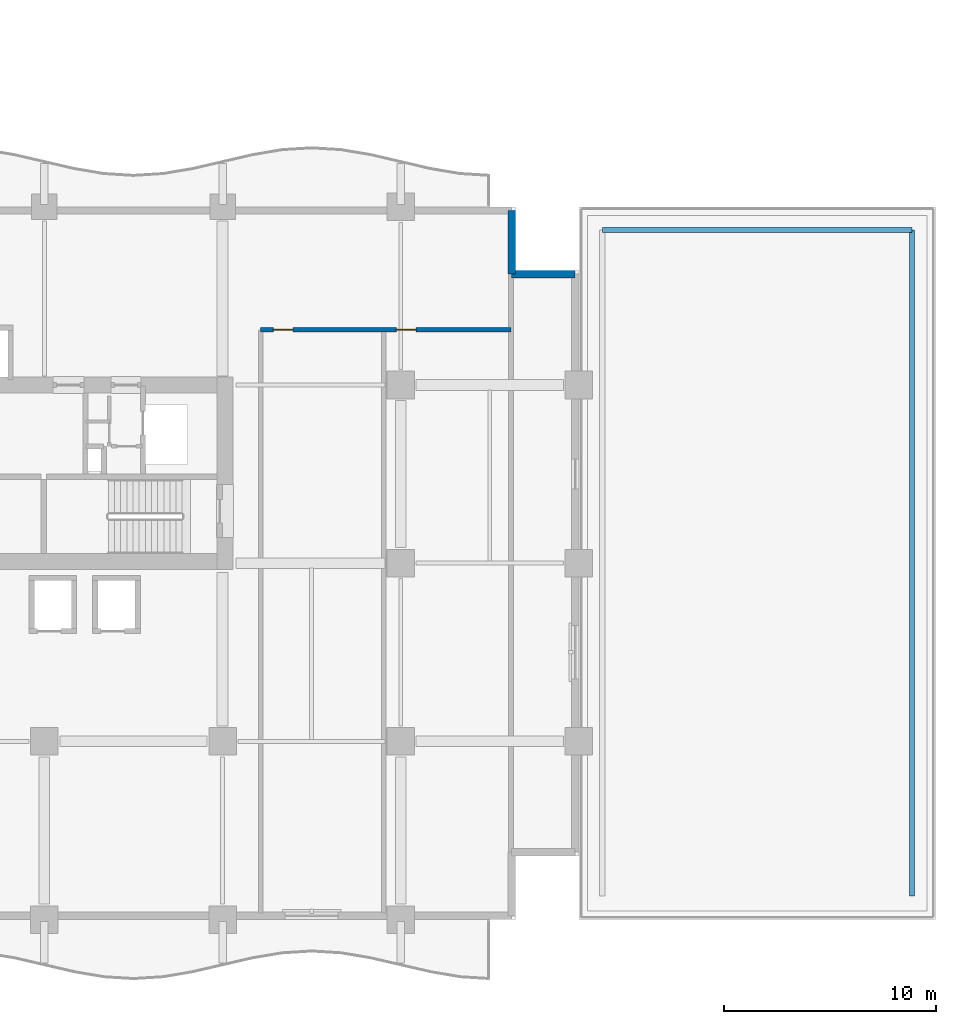
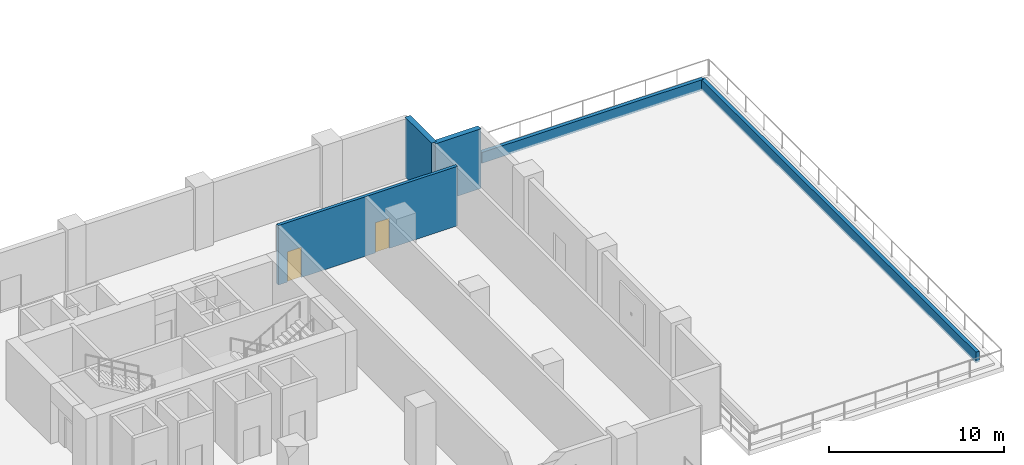
# One storey, part 13 of 21: 5 walls, 2 doors, 2 openings.
"""IFC4 building model written with IfcOpenShell, lengths in metres."""

from ifc_helpers import new_model, si_unit, direction, frame, frame_2d, origin, place, context, subcontext, project, spatial, rectangle, extrude, material, layer, layer_set, type_object, element, fill, save


model = new_model("IFC4")

# Units and contexts
model_context = context("Model", 3, precision=1e-05, world=origin(), true_north=direction((0.0, 1.0)))
body_context = subcontext(model_context, "Body", "Model", "MODEL_VIEW")
ifc_project = project(units=[si_unit("LENGTHUNIT", "METRE"), si_unit("AREAUNIT", "SQUARE_METRE"), si_unit("VOLUMEUNIT", "CUBIC_METRE"), si_unit("PLANEANGLEUNIT", "RADIAN"), si_unit("MASSUNIT", "GRAM", prefix="KILO")], contexts=[model_context])

# Site, building, storey
site_placement = place(None, origin())
site = spatial("IfcSite", under=ifc_project, at=site_placement, CompositionType="ELEMENT")
building_placement = place(site_placement, origin())
building = spatial("IfcBuilding", under=site, at=building_placement, Name="Koriwani Terraces Tower", CompositionType="ELEMENT")
storey_placement = place(building_placement, frame((0.0, 0.0, 85.199951171875)))
storey = spatial("IfcBuildingStorey", under=building, at=storey_placement, Name="L20", CompositionType="ELEMENT", Elevation=85.199951171875)

# Wall, openings, doors
ifc_material_1 = material(Name="Autoclaved Cellular Concrete Blockwork", Category="masonry")
ifc_layer_1 = layer(ifc_material_1, 0.199951171875, Name="Autoclaved Cellular Concrete Blockwork")
ifc_layer_set_1 = layer_set([ifc_layer_1], Name="Autoclaved Cellular Concrete Blockwork")
wall_type_1 = type_object("IfcWallType", Name="WALL_CORRIDOR_200", PredefinedType="PARTITIONING", material=ifc_layer_set_1)
wall_1_placement = place(storey_placement, frame((60.60009765625, 27.800048828125, 0.0), z_axis=(0.0, 0.0, 1.0), x_axis=(1.0, 0.0, 0.0)))
wall_1 = element("IfcWall", 1, at=wall_1_placement, inside=storey, type_object=wall_type_1, Name="L20 Interior Wall WSKY-E1-L20", PredefinedType="PARTITIONING", context=body_context, shape_type="SweptSolid", body=[
    extrude(rectangle(XDim=11.7998046875, YDim=0.199951171875, at=frame_2d((5.89990234375, 0.0))), origin(), (0.0, 0.0, 1.0), 4.150146484375),
])
opening_1_placement = place(wall_1_placement, frame((0.60009765625, 0.0, 0.0)))
opening_1 = element("IfcOpeningElement", 2, at=opening_1_placement, cuts=wall_1, Name="Opening D-06", PredefinedType="OPENING", context=body_context, shape_type="SweptSolid", body=[
    extrude(rectangle(XDim=0.919921875, YDim=2.10009765625, at=frame_2d((0.4599609375, 1.050048828125))), frame((0.0, 0.10986328125, 0.0), z_axis=(0.0, -1.0, 0.0), x_axis=(1.0, 0.0, 0.0)), (0.0, 0.0, 1.0), 0.219970703125),
])
opening_2_placement = place(wall_1_placement, frame((6.39990234375, 0.0, 0.0)))
opening_2 = element("IfcOpeningElement", 3, at=opening_2_placement, cuts=wall_1, Name="Opening D-06", PredefinedType="OPENING", context=body_context, shape_type="SweptSolid", body=[
    extrude(rectangle(XDim=0.919921875, YDim=2.10009765625, at=frame_2d((0.4599609375, 1.050048828125))), frame((0.0, 0.10986328125, 0.0), z_axis=(0.0, -1.0, 0.0), x_axis=(1.0, 0.0, 0.0)), (0.0, 0.0, 1.0), 0.219970703125),
])
ifc_material_2 = material(Name="Architectural Oak Fire Door", Category="wood")
door_type = type_object("IfcDoorType", Name="DOOR_ROOM_INT_920X2100", OperationType="NOTDEFINED", PredefinedType="DOOR", material=ifc_material_2)
door_1_placement = place(opening_1_placement, origin())
door_1 = element("IfcDoor", 4, at=door_1_placement, inside=storey, type_object=door_type, Name="L20 South Panorama Lounge Door", OperationType="SINGLE_SWING_RIGHT", OverallHeight=2.10009765625, OverallWidth=0.919921875, PredefinedType="DOOR", context=body_context, shape_type="SweptSolid", body=[
    extrude(rectangle(XDim=0.919921875, YDim=2.10009765625, at=frame_2d((0.4599609375, 1.050048828125))), frame((0.0, 0.02490234375, 0.0), z_axis=(0.0, -1.0, 0.0), x_axis=(1.0, 0.0, 0.0)), (0.0, 0.0, 1.0), 0.050048828125),
])
fill(opening_1, door_1)
door_2_placement = place(opening_2_placement, origin())
door_2 = element("IfcDoor", 5, at=door_2_placement, inside=storey, type_object=door_type, Name="L20 Sky Garden Restaurant Door", OperationType="SINGLE_SWING_LEFT", OverallHeight=2.10009765625, OverallWidth=0.919921875, PredefinedType="DOOR", context=body_context, shape_type="SweptSolid", body=[
    extrude(rectangle(XDim=0.919921875, YDim=2.10009765625, at=frame_2d((0.4599609375, 1.050048828125))), frame((0.0, 0.02490234375, 0.0), z_axis=(0.0, -1.0, 0.0), x_axis=(1.0, 0.0, 0.0)), (0.0, 0.0, 1.0), 0.050048828125),
])
fill(opening_2, door_2)

# Walls
ifc_material_3 = material(Name="Concrete C50/60", Category="concrete")
ifc_layer_2 = layer(ifc_material_3, 0.35009765625, Name="Concrete C50/60")
ifc_layer_set_2 = layer_set([ifc_layer_2], Name="Concrete C50/60")
wall_type_2 = type_object("IfcWallType", Name="WALL_EXT_BRUTALIST_350", PredefinedType="STANDARD", material=ifc_layer_set_2)
for number, where, z_axis, x_axis, name in (
    (6, (72.425048828125, 33.425048828125, 0.0), (0.0, 0.0, 1.0), (0.0, -1.0, 0.0), "L20 Fair-Faced Brutalist Exterior Wall (N10)"),
    (7, (72.425048828125, 30.425048828125, 0.0), (0.0, 0.0, 1.0), (1.0, 0.0, 0.0), "L20 Fair-Faced Brutalist Exterior Wall (N11)"),
):
    element("IfcWall", number, at=place(storey_placement, frame(where, z_axis=z_axis, x_axis=x_axis)), inside=storey, type_object=wall_type_2, Name=name, PredefinedType="STANDARD", context=body_context, shape_type="SweptSolid", body=[
        extrude(rectangle(XDim=3.0, YDim=0.35009765625, at=frame_2d((1.5, 0.0))), origin(), (0.0, 0.0, 1.0), 4.150146484375),
    ])
ifc_material_4 = material(Name="Concrete C40/50", Category="concrete")
ifc_layer_3 = layer(ifc_material_4, 0.239990234375, Name="Concrete C40/50")
ifc_layer_set_3 = layer_set([ifc_layer_3], Name="Concrete C40/50")
wall_type_3 = type_object("IfcWallType", Name="WALL_TERRACE_PLANTER_240", PredefinedType="USERDEFINED", material=ifc_layer_set_3)
wall_2_placement = place(storey_placement, frame((76.699951171875, 32.5, 0.0), z_axis=(0.0, 0.0, 1.0), x_axis=(1.0, 0.0, 0.0)))
element("IfcWall", 8, at=wall_2_placement, inside=storey, type_object=wall_type_3, Name="L20 Sky-Garden Planted Terrace Planter Wall 2", ObjectType="PLANTER", PredefinedType="USERDEFINED", context=body_context, shape_type="SweptSolid", body=[
    extrude(rectangle(XDim=14.60009765625, YDim=0.239990234375, at=frame_2d((7.300048828125, 0.0))), origin(), (0.0, 0.0, 1.0), 0.75),
])
wall_3_placement = place(storey_placement, frame((91.300048828125, 32.5, 0.0), z_axis=(0.0, 0.0, 1.0), x_axis=(0.0, -1.0, 0.0)))
element("IfcWall", 9, at=wall_3_placement, inside=storey, type_object=wall_type_3, Name="L20 Sky-Garden Planted Terrace Planter Wall 3", ObjectType="PLANTER", PredefinedType="USERDEFINED", context=body_context, shape_type="SweptSolid", body=[
    extrude(rectangle(XDim=31.39990234375, YDim=0.239990234375, at=frame_2d((15.699951171875, 0.0))), origin(), (0.0, 0.0, 1.0), 0.75),
])

save(model, "model.ifc")
